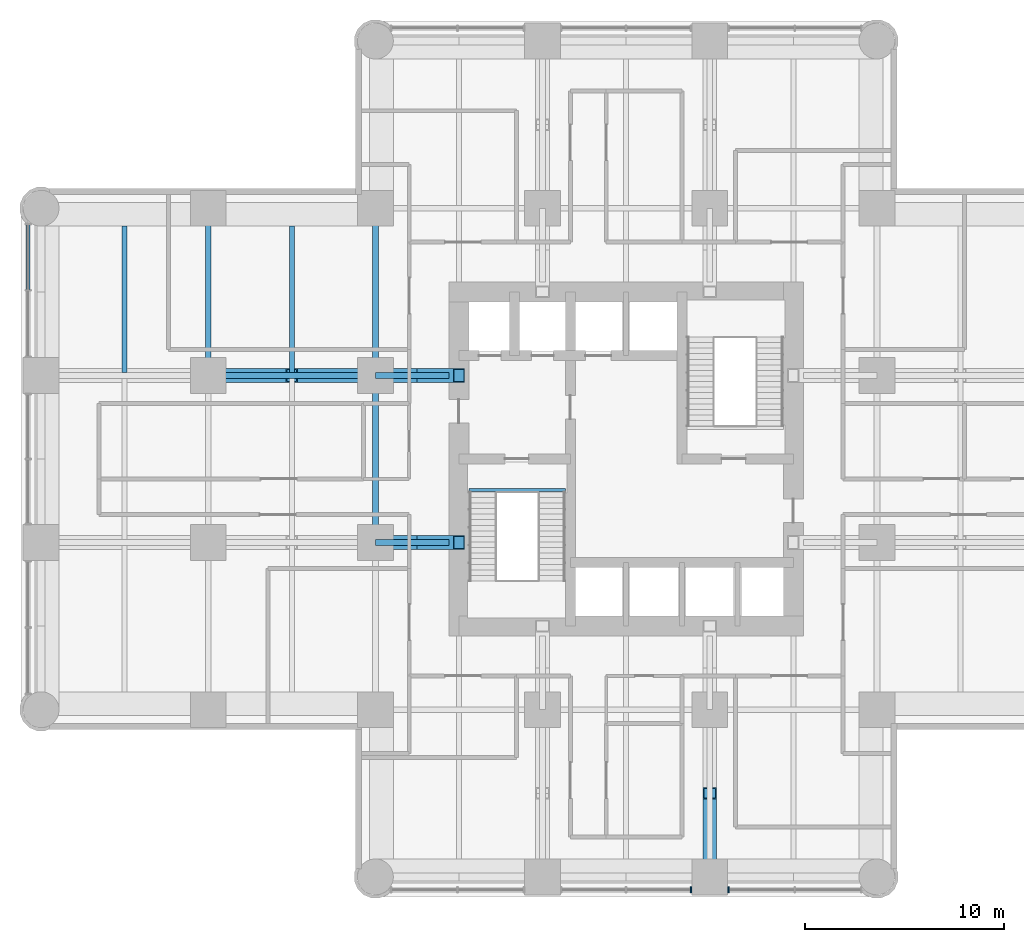
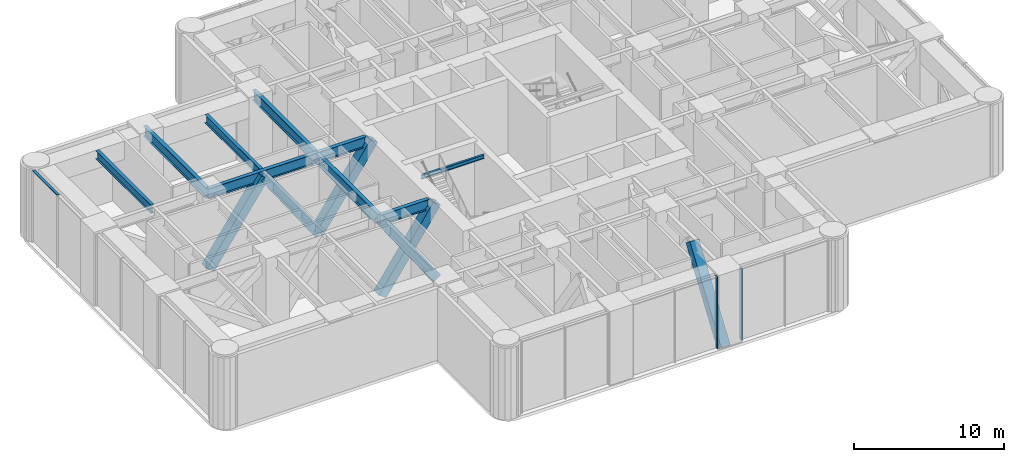
# One storey, part 3 of 13: 10 members, 9 beams, 2 elements without a shape of their own.
"""IFC4 building model written with IfcOpenShell, lengths in metres."""

from ifc_helpers import new_model, si_unit, direction, frame, origin, origin_2d, place, context, subcontext, project, spatial, rectangle, hollow_rectangle, i_section, extrude, material, material_profile, profile_set, type_object, element, aggregate, save


model = new_model("IFC4")

# Units and contexts
model_context = context("Model", 3, precision=1e-05, world=origin(), true_north=direction((0.0, 1.0)))
body_context = subcontext(model_context, "Body", "Model", "MODEL_VIEW")
ifc_project = project(units=[si_unit("LENGTHUNIT", "METRE"), si_unit("AREAUNIT", "SQUARE_METRE"), si_unit("VOLUMEUNIT", "CUBIC_METRE"), si_unit("PLANEANGLEUNIT", "RADIAN"), si_unit("MASSUNIT", "GRAM", prefix="KILO")], contexts=[model_context])

# Site, building, storey
site_placement = place(None, origin())
site = spatial("IfcSite", under=ifc_project, at=site_placement, CompositionType="ELEMENT")
building_placement = place(site_placement, origin())
building = spatial("IfcBuilding", under=site, at=building_placement, Name="Torre Alcanfor", CompositionType="ELEMENT")
storey_placement = place(building_placement, frame((0.0, 0.0, 177.300048828125)))
storey = spatial("IfcBuildingStorey", under=building, at=storey_placement, Name="L46", CompositionType="ELEMENT", Elevation=177.300048828125)

# Curtain wall, members
ifc_material_1 = material(Name="Aluminium and glass", Category="aluminium")
curtain_wall_type = type_object("IfcCurtainWallType", Name="CW-D plant floor louvre screen", PredefinedType="NOTDEFINED", material=ifc_material_1)
curtain_wall_1_placement = place(storey_placement, origin())
curtain_wall_1 = element("IfcCurtainWall", 1, at=curtain_wall_1_placement, inside=storey, type_object=curtain_wall_type, Name="Curtain wall CW-D L46 5", PredefinedType="NOTDEFINED")
ifc_material_2 = material(Name="Extruded aluminium", Category="aluminium")
ifc_material_profile_1 = material_profile(ifc_material_2, rectangle(XDim=0.300048828125, YDim=0.06494140625, at=origin_2d()), Name="CW-D mullion 65x300")
ifc_profile_set_1 = profile_set([ifc_material_profile_1], Name="Extruded aluminium")
member_type_1 = type_object("IfcMemberType", Name="CW-D mullion 65x300", PredefinedType="MULLION", material=ifc_profile_set_1)
member_1_placement = place(storey_placement, frame((32.66259765625, 7.75, 0.0), z_axis=(0.0, 0.0, 1.0), x_axis=(0.0, 1.0, 0.0)))
member_1 = element("IfcMember", 2, at=member_1_placement, type_object=member_type_1, Name="CW-D mullion 2.3", PredefinedType="MULLION", context=body_context, shape_type="SweptSolid", body=[
    extrude(rectangle(XDim=0.300048828125, YDim=0.06494140625, at=origin_2d()), origin(), (0.0, 0.0, 1.0), 5.849853515625),
])
member_2_placement = place(storey_placement, frame((34.53759765625, 7.75, 0.0), z_axis=(0.0, 0.0, 1.0), x_axis=(0.0, 1.0, 0.0)))
member_2 = element("IfcMember", 3, at=member_2_placement, type_object=member_type_1, Name="CW-D mullion 3.1", PredefinedType="MULLION", context=body_context, shape_type="SweptSolid", body=[
    extrude(rectangle(XDim=0.300048828125, YDim=0.06494140625, at=origin_2d()), origin(), (0.0, 0.0, 1.0), 5.849853515625),
])
aggregate(curtain_wall_1, [member_1, member_2])

# Curtain wall, member
curtain_wall_2_placement = place(storey_placement, origin())
curtain_wall_2 = element("IfcCurtainWall", 4, at=curtain_wall_2_placement, inside=storey, type_object=curtain_wall_type, Name="Curtain wall CW-D L46 2", PredefinedType="NOTDEFINED")
ifc_material_3 = material(Name="Extruded aluminium", Category="aluminium")
ifc_material_profile_2 = material_profile(ifc_material_3, rectangle(XDim=0.199951171875, YDim=0.06494140625, at=origin_2d()), Name="CW-D transom 200x65")
ifc_profile_set_2 = profile_set([ifc_material_profile_2], Name="Extruded aluminium")
member_type_2 = type_object("IfcMemberType", Name="CW-D transom 65x200", PredefinedType="USERDEFINED", material=ifc_profile_set_2)
member_3_placement = place(storey_placement, frame((-0.64990234375, 41.1806640625, 5.8173828125), z_axis=(0.0, -1.0, 0.0), x_axis=(1.0, 0.0, 0.0)))
member_3 = element("IfcMember", 5, at=member_3_placement, type_object=member_type_2, Name="CW-D transom 1.1.2", ObjectType="TRANSOM", PredefinedType="USERDEFINED", context=body_context, shape_type="SweptSolid", body=[
    extrude(rectangle(XDim=0.199951171875, YDim=0.06494140625, at=origin_2d()), origin(), (0.0, 0.0, 1.0), 3.272705078125),
])
aggregate(curtain_wall_2, [member_3])

# Beams
ifc_material_4 = material(Name="Steel ASTM A992 Grade 50", Category="steel")
ifc_material_profile_3 = material_profile(ifc_material_4, i_section(OverallWidth=0.2919921875, OverallDepth=0.8408203125, WebThickness=0.0146484375, FlangeThickness=0.021728515625, at=origin_2d()), Name="W33x130")
ifc_profile_set_3 = profile_set([ifc_material_profile_3], Name="Steel ASTM A992 Grade 50")
beam_type_1 = type_object("IfcBeamType", Name="Girder W33x130", PredefinedType="BEAM", material=ifc_profile_set_3)
beam_1_placement = place(storey_placement, frame((8.39990234375, 33.60009765625, 5.4296875), z_axis=(1.0, 0.0, 0.0), x_axis=(0.0, 1.0, 0.0)))
element("IfcBeam", 6, at=beam_1_placement, inside=storey, type_object=beam_type_1, Name="Beam 2G-3G under L47", PredefinedType="BEAM", context=body_context, shape_type="SweptSolid", body=[
    extrude(i_section(OverallWidth=0.2919921875, OverallDepth=0.8408203125, WebThickness=0.0146484375, FlangeThickness=0.021728515625, at=origin_2d()), origin(), (0.0, 0.0, 1.0), 8.400146484375),
])
beam_2_placement = place(storey_placement, frame((8.39990234375, 33.60009765625, 5.4296875), z_axis=(0.0, 1.0, 0.0), x_axis=(-1.0, 0.0, 0.0)))
element("IfcBeam", 7, at=beam_2_placement, inside=storey, type_object=beam_type_1, Name="Beam 2G-2H under L47", PredefinedType="BEAM", context=body_context, shape_type="SweptSolid", body=[
    extrude(i_section(OverallWidth=0.2919921875, OverallDepth=0.8408203125, WebThickness=0.0146484375, FlangeThickness=0.021728515625, at=origin_2d()), origin(), (0.0, 0.0, 1.0), 8.39990234375),
])
beam_3_placement = place(storey_placement, frame((16.800048828125, 25.199951171875, 5.4296875), z_axis=(0.0, 1.0, 0.0), x_axis=(-1.0, 0.0, 0.0)))
element("IfcBeam", 8, at=beam_3_placement, inside=storey, type_object=beam_type_1, Name="Beam 3F-3G under L47", PredefinedType="BEAM", context=body_context, shape_type="SweptSolid", body=[
    extrude(i_section(OverallWidth=0.2919921875, OverallDepth=0.8408203125, WebThickness=0.0146484375, FlangeThickness=0.021728515625, at=origin_2d()), origin(), (0.0, 0.0, 1.0), 8.400146484375),
])
beam_4_placement = place(storey_placement, frame((16.800048828125, 33.60009765625, 5.4296875), z_axis=(0.0, 1.0, 0.0), x_axis=(-1.0, 0.0, 0.0)))
element("IfcBeam", 9, at=beam_4_placement, inside=storey, type_object=beam_type_1, Name="Beam 3G-3H under L47", PredefinedType="BEAM", context=body_context, shape_type="SweptSolid", body=[
    extrude(i_section(OverallWidth=0.2919921875, OverallDepth=0.8408203125, WebThickness=0.0146484375, FlangeThickness=0.021728515625, at=origin_2d()), origin(), (0.0, 0.0, 1.0), 8.39990234375),
])
ifc_material_5 = material(Name="Steel ASTM A992 Grade 50", Category="steel")
ifc_material_profile_4 = material_profile(ifc_material_5, i_section(OverallWidth=0.2919921875, OverallDepth=0.8408203125, WebThickness=0.0146484375, FlangeThickness=0.021728515625, at=origin_2d()), Name="W33x130")
ifc_profile_set_4 = profile_set([ifc_material_profile_4], Name="Steel ASTM A992 Grade 50")
beam_type_2 = type_object("IfcBeamType", Name="Girder, part bay W33x130", PredefinedType="BEAM", material=ifc_profile_set_4)
for number, where, z_axis, x_axis, name in (
    (10, (16.800048828125, 25.199951171875, 5.4296875), (1.0, 0.0, 0.0), (0.0, 1.0, 0.0), "Beam 3F-20_5F under L47"),
    (11, (16.800048828125, 33.60009765625, 5.4296875), (1.0, 0.0, 0.0), (0.0, 1.0, 0.0), "Beam 3G-20_5G under L47"),
):
    element("IfcBeam", number, at=place(storey_placement, frame(where, z_axis=z_axis, x_axis=x_axis)), inside=storey, type_object=beam_type_2, Name=name, PredefinedType="BEAM", context=body_context, shape_type="SweptSolid", body=[
        extrude(i_section(OverallWidth=0.2919921875, OverallDepth=0.8408203125, WebThickness=0.0146484375, FlangeThickness=0.021728515625, at=origin_2d()), origin(), (0.0, 0.0, 1.0), 3.699951171875),
    ])

# Members
ifc_material_6 = material(Name="Steel ASTM A572 Grade 50 plate", Category="steel")
ifc_material_profile_5 = material_profile(ifc_material_6, hollow_rectangle(XDim=0.699951171875, YDim=0.699951171875, WallThickness=0.050048828125, at=origin_2d()), Name="BOX 700x700x50")
ifc_profile_set_5 = profile_set([ifc_material_profile_5], Name="Steel ASTM A572 Grade 50 plate")
member_type_3 = type_object("IfcMemberType", Name="Outrigger truss diagonal BOx700x700x50", PredefinedType="BRACE", material=ifc_profile_set_5)
for number, where, z_axis, x_axis, name in (
    (12, (33.60009765625, 8.39990234375, -0.650146484375), (0.0, 0.567113464175, 0.823639677742), (-1.0, 0.0, 0.0), "Outrigger truss L46 S arm grid 33.6 panel 2 diagonal B"),
    (13, (21.0, 25.199951171875, -0.650146484375), (-0.567091101321, 0.0, 0.823655075139), (0.0, -1.0, 0.0), "Outrigger truss L46 W arm grid 25.2 panel 1 diagonal A"),
    (14, (16.800048828125, 25.199951171875, -0.650146484375), (0.567091101321, 0.0, 0.823655075139), (0.0, 1.0, 0.0), "Outrigger truss L46 W arm grid 25.2 panel 1 diagonal B"),
    (15, (21.0, 33.60009765625, -0.650146484375), (-0.567091101321, 0.0, 0.823655075139), (0.0, -1.0, 0.0), "Outrigger truss L46 W arm grid 33.6 panel 1 diagonal A"),
    (16, (16.800048828125, 33.60009765625, -0.650146484375), (0.567091101321, 0.0, 0.823655075139), (0.0, 1.0, 0.0), "Outrigger truss L46 W arm grid 33.6 panel 1 diagonal B"),
    (17, (16.800048828125, 33.60009765625, -0.650146484375), (-0.567091101321, 0.0, 0.823655075139), (0.0, -1.0, 0.0), "Outrigger truss L46 W arm grid 33.6 panel 2 diagonal A"),
    (18, (8.39990234375, 33.60009765625, -0.650146484375), (0.567113464175, 0.0, 0.823639677742), (0.0, 1.0, 0.0), "Outrigger truss L46 W arm grid 33.6 panel 2 diagonal B"),
):
    element("IfcMember", number, at=place(storey_placement, frame(where, z_axis=z_axis, x_axis=x_axis)), inside=storey, type_object=member_type_3, Name=name, PredefinedType="BRACE", context=body_context, shape_type="SweptSolid", body=[
        extrude(hollow_rectangle(XDim=0.699951171875, YDim=0.699951171875, WallThickness=0.050048828125, at=origin_2d()), origin(), (0.0, 0.0, 1.0), 7.40625),
    ])

# Beams
ifc_material_7 = material(Name="Steel ASTM A992 Grade 50", Category="steel")
ifc_material_profile_6 = material_profile(ifc_material_7, i_section(OverallWidth=0.25390625, OverallDepth=0.683349609375, WebThickness=0.012451171875, FlangeThickness=0.01904296875, at=origin_2d()), Name="W27x94")
ifc_profile_set_6 = profile_set([ifc_material_profile_6], Name="Steel ASTM A992 Grade 50")
beam_type_3 = type_object("IfcBeamType", Name="Secondary beam W27x94", PredefinedType="BEAM", material=ifc_profile_set_6)
for number, where, z_axis, x_axis, name in (
    (19, (4.199951171875, 33.74609375, 5.50830078125), (0.0, 1.0, 0.0), (-1.0, 0.0, 0.0), "Beam 4_2G-4_2H under L47"),
    (20, (12.60009765625, 33.74609375, 5.50830078125), (0.0, 1.0, 0.0), (-1.0, 0.0, 0.0), "Beam 12_6G-12_6H under L47"),
):
    element("IfcBeam", number, at=place(storey_placement, frame(where, z_axis=z_axis, x_axis=x_axis)), inside=storey, type_object=beam_type_3, Name=name, PredefinedType="BEAM", context=body_context, shape_type="SweptSolid", body=[
        extrude(i_section(OverallWidth=0.25390625, OverallDepth=0.683349609375, WebThickness=0.012451171875, FlangeThickness=0.01904296875, at=origin_2d()), origin(), (0.0, 0.0, 1.0), 7.35400390625),
    ])
ifc_material_8 = material(Name="Steel ASTM A992 Grade 50", Category="steel")
ifc_material_profile_7 = material_profile(ifc_material_8, i_section(OverallWidth=0.164794921875, OverallDepth=0.309814453125, WebThickness=0.005859375, FlangeThickness=0.009765625, at=origin_2d()), Name="W12x26")
ifc_profile_set_7 = profile_set([ifc_material_profile_7], Name="Steel ASTM A992 Grade 50")
beam_type_4 = type_object("IfcBeamType", Name="Stair landing beam W12x26", PredefinedType="BEAM", material=ifc_profile_set_7)
beam_5_placement = place(storey_placement, frame((21.5, 27.83740234375, 5.64501953125), z_axis=(1.0, 0.0, 0.0), x_axis=(0.0, 1.0, 0.0)))
element("IfcBeam", 21, at=beam_5_placement, inside=storey, type_object=beam_type_4, Name="Landing trimmer S1 L47", PredefinedType="BEAM", context=body_context, shape_type="SweptSolid", body=[
    extrude(i_section(OverallWidth=0.164794921875, OverallDepth=0.309814453125, WebThickness=0.005859375, FlangeThickness=0.009765625, at=origin_2d()), origin(), (0.0, 0.0, 1.0), 4.85009765625),
])

save(model, "model.ifc")
